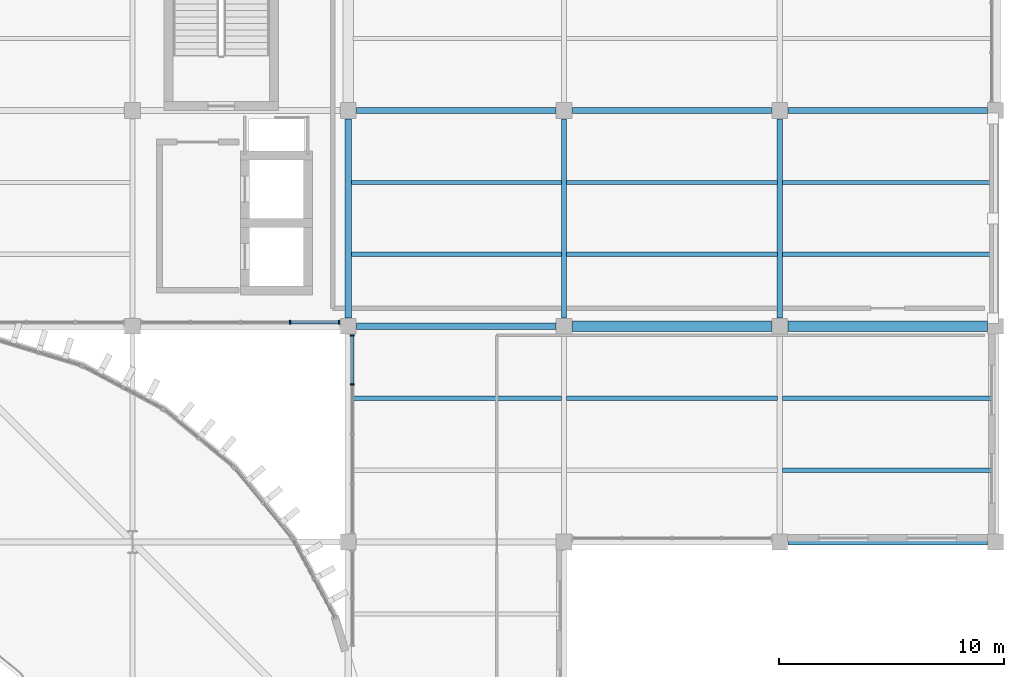
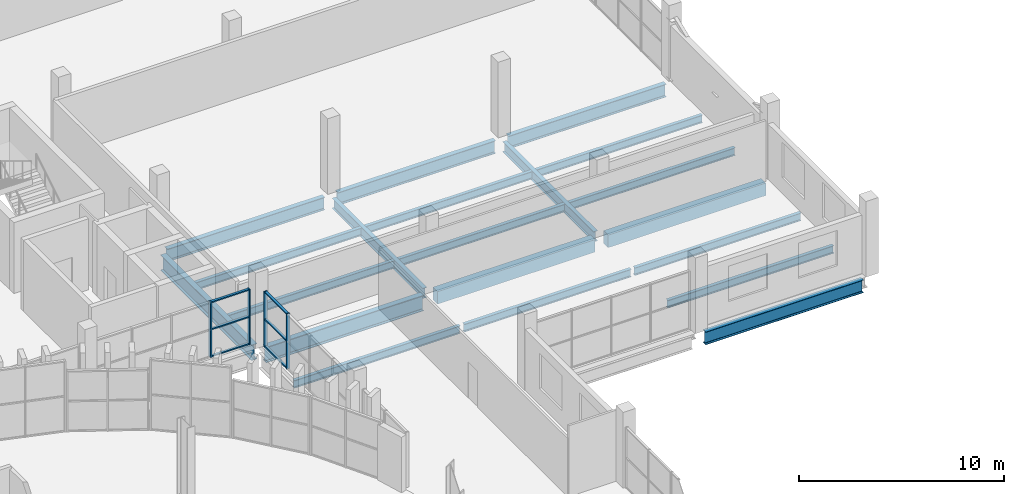
# One storey, part 37 of 92: 20 beams, 10 members, 2 elements without a shape of their own.
"""IFC4 building model written with IfcOpenShell, lengths in metres."""

from ifc_helpers import new_model, si_unit, direction, frame, origin, origin_2d, place, context, subcontext, project, spatial, rectangle, i_section, extrude, material, layer, layer_set, material_profile, profile_set, type_object, element, aggregate, save


model = new_model("IFC4")

# Units and contexts
model_context = context("Model", 3, precision=1e-05, world=origin(), true_north=direction((0.0, 1.0)))
body_context = subcontext(model_context, "Body", "Model", "MODEL_VIEW")
ifc_project = project(units=[si_unit("LENGTHUNIT", "METRE"), si_unit("AREAUNIT", "SQUARE_METRE"), si_unit("VOLUMEUNIT", "CUBIC_METRE"), si_unit("PLANEANGLEUNIT", "RADIAN"), si_unit("MASSUNIT", "GRAM", prefix="KILO")], contexts=[model_context])

# Site, building, storey
site_placement = place(None, origin())
site = spatial("IfcSite", under=ifc_project, at=site_placement, CompositionType="ELEMENT")
building_placement = place(site_placement, origin())
building = spatial("IfcBuilding", under=site, at=building_placement, Name="Caelomonte Colonnade Arena", CompositionType="ELEMENT")
storey_placement = place(building_placement, frame((0.0, 0.0, 9.60009765625)))
storey = spatial("IfcBuildingStorey", under=building, at=storey_placement, Name="L02", CompositionType="ELEMENT", Elevation=9.60009765625)

# Curtain wall, members
ifc_material_1 = material(Name="Bronze anodised aluminium and low-E glazing", Category="aluminium")
ifc_layer = layer(ifc_material_1, 0.179931640625)
ifc_layer_set = layer_set([ifc_layer], Name="Bronze anodised aluminium and low-E glazing")
curtain_wall_type = type_object("IfcCurtainWallType", Name="ENV-CW-CW-L02-96-33", PredefinedType="USERDEFINED", material=ifc_layer_set)
curtain_wall_1_placement = place(storey_placement, origin())
curtain_wall_1 = element("IfcCurtainWall", 1, at=curtain_wall_1_placement, inside=storey, type_object=curtain_wall_type, Name="L02 unitized curtain wall CW-L02-1584-1154", ObjectType="UNITIZED CURTAIN WALL", PredefinedType="USERDEFINED")
ifc_material_2 = material(Name="Bronze anodised aluminium AA6063-T6", Category="aluminium")
ifc_material_profile_1 = material_profile(ifc_material_2, rectangle(XDim=0.070068359375, YDim=0.179931640625, at=origin_2d()), Name="CWM-70X180")
ifc_profile_set_1 = profile_set([ifc_material_profile_1], Name="Bronze anodised aluminium AA6063-T6")
member_type_1 = type_object("IfcMemberType", Name="ENV-CW-MULL1", PredefinedType="MULLION", material=ifc_profile_set_1)
member_1_placement = place(storey_placement, frame((160.614990234375, 115.3798828125, 0.0), z_axis=(0.0, 0.0, 1.0), x_axis=(1.0, 0.0, 0.0)))
member_1 = element("IfcMember", 2, at=member_1_placement, type_object=member_type_1, Name="CW-L02-96-33 mullion 4", PredefinedType="MULLION", context=body_context, shape_type="SweptSolid", body=[
    extrude(rectangle(XDim=0.070068359375, YDim=0.179931640625, at=origin_2d()), origin(), (0.0, 0.0, 1.0), 3.29296875),
])
member_2_placement = place(storey_placement, frame((162.794921875, 115.3798828125, 0.0), z_axis=(0.0, 0.0, 1.0), x_axis=(1.0, 0.0, 0.0)))
member_2 = element("IfcMember", 3, at=member_2_placement, type_object=member_type_1, Name="CW-L02-96-33 mullion 5", PredefinedType="MULLION", context=body_context, shape_type="SweptSolid", body=[
    extrude(rectangle(XDim=0.070068359375, YDim=0.179931640625, at=origin_2d()), origin(), (0.0, 0.0, 1.0), 3.29296875),
])

curtain_wall_2_placement = place(storey_placement, origin())
curtain_wall_2 = element("IfcCurtainWall", 4, at=curtain_wall_2_placement, inside=storey, type_object=curtain_wall_type, Name="L02 unitized curtain wall CW-L02-1634-1104", ObjectType="UNITIZED CURTAIN WALL", PredefinedType="USERDEFINED")
member_3_placement = place(storey_placement, frame((163.3798828125, 114.794921875, 0.0), z_axis=(0.0, 0.0, 1.0), x_axis=(0.0, -1.0, 0.0)))
member_3 = element("IfcMember", 5, at=member_3_placement, type_object=member_type_1, Name="CW-L02-96-33 mullion 1", PredefinedType="MULLION", context=body_context, shape_type="SweptSolid", body=[
    extrude(rectangle(XDim=0.070068359375, YDim=0.179931640625, at=origin_2d()), origin(), (0.0, 0.0, 1.0), 3.29296875),
])
member_4_placement = place(storey_placement, frame((163.3798828125, 112.614990234375, 0.0), z_axis=(0.0, 0.0, 1.0), x_axis=(0.0, -1.0, 0.0)))
member_4 = element("IfcMember", 6, at=member_4_placement, type_object=member_type_1, Name="CW-L02-96-33 mullion 2", PredefinedType="MULLION", context=body_context, shape_type="SweptSolid", body=[
    extrude(rectangle(XDim=0.070068359375, YDim=0.179931640625, at=origin_2d()), origin(), (0.0, 0.0, 1.0), 3.29296875),
])

# Member
ifc_material_profile_2 = material_profile(ifc_material_2, rectangle(XDim=0.070068359375, YDim=0.139892578125, at=origin_2d()), Name="CWT-70X140")
ifc_profile_set_2 = profile_set([ifc_material_profile_2], Name="Bronze anodised aluminium AA6063-T6")
member_type_2 = type_object("IfcMemberType", Name="ENV-CW-TRAN1", PredefinedType="USERDEFINED", material=ifc_profile_set_2)
member_5_placement = place(storey_placement, frame((160.64990234375, 115.3798828125, 0.034912109375), z_axis=(1.0, 0.0, 0.0), x_axis=(0.0, 0.0, 1.0)))
member_5 = element("IfcMember", 7, at=member_5_placement, type_object=member_type_2, Name="CW-L02-96-33 transom 4.1", ObjectType="TRANSOM", PredefinedType="USERDEFINED", context=body_context, shape_type="SweptSolid", body=[
    extrude(rectangle(XDim=0.070068359375, YDim=0.139892578125, at=origin_2d()), origin(), (0.0, 0.0, 1.0), 2.110107421875),
])

member_6_placement = place(storey_placement, frame((160.64990234375, 115.3798828125, 1.646484375), z_axis=(1.0, 0.0, 0.0), x_axis=(0.0, 0.0, 1.0)))
member_6 = element("IfcMember", 8, at=member_6_placement, type_object=member_type_2, Name="CW-L02-96-33 transom 4.2", ObjectType="TRANSOM", PredefinedType="USERDEFINED", context=body_context, shape_type="SweptSolid", body=[
    extrude(rectangle(XDim=0.070068359375, YDim=0.139892578125, at=origin_2d()), origin(), (0.0, 0.0, 1.0), 2.110107421875),
])

member_7_placement = place(storey_placement, frame((160.64990234375, 115.3798828125, 3.2578125), z_axis=(1.0, 0.0, 0.0), x_axis=(0.0, 0.0, 1.0)))
member_7 = element("IfcMember", 9, at=member_7_placement, type_object=member_type_2, Name="CW-L02-96-33 transom 4.3", ObjectType="TRANSOM", PredefinedType="USERDEFINED", context=body_context, shape_type="SweptSolid", body=[
    extrude(rectangle(XDim=0.070068359375, YDim=0.139892578125, at=origin_2d()), origin(), (0.0, 0.0, 1.0), 2.110107421875),
])

aggregate(curtain_wall_1, [member_1, member_2, member_5, member_6, member_7])

member_8_placement = place(storey_placement, frame((163.3798828125, 114.760009765625, 0.034912109375), z_axis=(0.0, -1.0, 0.0), x_axis=(0.0, 0.0, 1.0)))
member_8 = element("IfcMember", 10, at=member_8_placement, type_object=member_type_2, Name="CW-L02-96-33 transom 1.1", ObjectType="TRANSOM", PredefinedType="USERDEFINED", context=body_context, shape_type="SweptSolid", body=[
    extrude(rectangle(XDim=0.070068359375, YDim=0.139892578125, at=origin_2d()), origin(), (0.0, 0.0, 1.0), 2.110107421875),
])

member_9_placement = place(storey_placement, frame((163.3798828125, 114.760009765625, 1.646484375), z_axis=(0.0, -1.0, 0.0), x_axis=(0.0, 0.0, 1.0)))
member_9 = element("IfcMember", 11, at=member_9_placement, type_object=member_type_2, Name="CW-L02-96-33 transom 1.2", ObjectType="TRANSOM", PredefinedType="USERDEFINED", context=body_context, shape_type="SweptSolid", body=[
    extrude(rectangle(XDim=0.070068359375, YDim=0.139892578125, at=origin_2d()), origin(), (0.0, 0.0, 1.0), 2.110107421875),
])

member_10_placement = place(storey_placement, frame((163.3798828125, 114.760009765625, 3.2578125), z_axis=(0.0, -1.0, 0.0), x_axis=(0.0, 0.0, 1.0)))
member_10 = element("IfcMember", 12, at=member_10_placement, type_object=member_type_2, Name="CW-L02-96-33 transom 1.3", ObjectType="TRANSOM", PredefinedType="USERDEFINED", context=body_context, shape_type="SweptSolid", body=[
    extrude(rectangle(XDim=0.070068359375, YDim=0.139892578125, at=origin_2d()), origin(), (0.0, 0.0, 1.0), 2.110107421875),
])

aggregate(curtain_wall_2, [member_3, member_4, member_8, member_9, member_10])

# Beams
ifc_material_3 = material(Name="Wide-flange steel ASTM A992 Grade 50", Category="steel")
ifc_material_profile_3 = material_profile(ifc_material_3, i_section(OverallWidth=0.307861328125, OverallDepth=0.927001953125, WebThickness=0.019287109375, FlangeThickness=0.031982421875, FilletRadius=0.020263671875, at=origin_2d()), Name="W36X194")
ifc_profile_set_3 = profile_set([ifc_material_profile_3], Name="Wide-flange steel ASTM A992 Grade 50")
beam_type_1 = type_object("IfcBeamType", Name="STR-BM-EAVES2", PredefinedType="SPANDREL", material=ifc_profile_set_3)
for number, where, z_axis, x_axis, name in (
    (13, (163.56689453125, 115.199951171875, -0.74365234375), (1.0, 0.0, 0.0), (0.0, 1.0, 0.0), "L02 girder BMX-L02-1632-1152"),
    (14, (163.199951171875, 115.56689453125, -0.74365234375), (0.0, 1.0, 0.0), (-1.0, 0.0, 0.0), "L02 girder BMY-L02-1632-1152"),
):
    element("IfcBeam", number, at=place(storey_placement, frame(where, z_axis=z_axis, x_axis=x_axis)), inside=storey, type_object=beam_type_1, Name=name, PredefinedType="SPANDREL", context=body_context, shape_type="SweptSolid", body=[
        extrude(i_section(OverallWidth=0.307861328125, OverallDepth=0.927001953125, WebThickness=0.019287109375, FlangeThickness=0.031982421875, FilletRadius=0.020263671875, at=origin_2d()), origin(), (0.0, 0.0, 1.0), 8.8662109375),
    ])
ifc_material_profile_4 = material_profile(ifc_material_3, i_section(OverallWidth=0.228271484375, OverallDepth=0.607177734375, WebThickness=0.01123046875, FlangeThickness=0.017333984375, FilletRadius=0.0126953125, at=origin_2d()), Name="W24X76")
ifc_profile_set_4 = profile_set([ifc_material_profile_4], Name="Wide-flange steel ASTM A992 Grade 50")
beam_type_2 = type_object("IfcBeamType", Name="STR-BM-GIRD24", PredefinedType="BEAM", material=ifc_profile_set_4)
for number, where, z_axis, x_axis, name in (
    (15, (172.800048828125, 115.56689453125, -0.58349609375), (0.0, 1.0, 0.0), (-1.0, 0.0, 0.0), "L02 girder BMY-L02-1728-1152"),
    (16, (182.39990234375, 115.56689453125, -0.58349609375), (0.0, 1.0, 0.0), (-1.0, 0.0, 0.0), "L02 girder BMY-L02-1824-1152"),
):
    element("IfcBeam", number, at=place(storey_placement, frame(where, z_axis=z_axis, x_axis=x_axis)), inside=storey, type_object=beam_type_2, Name=name, PredefinedType="BEAM", context=body_context, shape_type="SweptSolid", body=[
        extrude(i_section(OverallWidth=0.228271484375, OverallDepth=0.607177734375, WebThickness=0.01123046875, FlangeThickness=0.017333984375, FilletRadius=0.0126953125, at=origin_2d()), origin(), (0.0, 0.0, 1.0), 8.8662109375),
    ])
ifc_material_profile_5 = material_profile(ifc_material_3, i_section(OverallWidth=0.2666015625, OverallDepth=0.761962890625, WebThickness=0.014404296875, FlangeThickness=0.021484375, FilletRadius=0.0166015625, at=origin_2d()), Name="W30X116")
ifc_profile_set_5 = profile_set([ifc_material_profile_5], Name="Wide-flange steel ASTM A992 Grade 50")
beam_type_3 = type_object("IfcBeamType", Name="STR-BM-GIRD30", PredefinedType="BEAM", material=ifc_profile_set_5)
beam_1_placement = place(storey_placement, frame((182.76708984375, 105.60009765625, -0.6611328125), z_axis=(1.0, 0.0, 0.0), x_axis=(0.0, 1.0, 0.0)))
element("IfcBeam", 17, at=beam_1_placement, inside=storey, type_object=beam_type_3, Name="L02 girder BMX-L02-1824-1056", PredefinedType="BEAM", context=body_context, shape_type="SweptSolid", body=[
    extrude(i_section(OverallWidth=0.2666015625, OverallDepth=0.761962890625, WebThickness=0.014404296875, FlangeThickness=0.021484375, FilletRadius=0.0166015625, at=origin_2d()), origin(), (0.0, 0.0, 1.0), 8.865966796875),
])
beam_2_placement = place(storey_placement, frame((163.56689453125, 124.800048828125, -0.6611328125), z_axis=(1.0, 0.0, 0.0), x_axis=(0.0, 1.0, 0.0)))
element("IfcBeam", 18, at=beam_2_placement, inside=storey, type_object=beam_type_3, Name="L02 girder BMX-L02-1632-1248", PredefinedType="BEAM", context=body_context, shape_type="SweptSolid", body=[
    extrude(i_section(OverallWidth=0.2666015625, OverallDepth=0.761962890625, WebThickness=0.014404296875, FlangeThickness=0.021484375, FilletRadius=0.0166015625, at=origin_2d()), origin(), (0.0, 0.0, 1.0), 8.8662109375),
])
for number, where, z_axis, x_axis, name in (
    (19, (173.1669921875, 124.800048828125, -0.6611328125), (1.0, 0.0, 0.0), (0.0, 1.0, 0.0), "L02 girder BMX-L02-1728-1248"),
    (20, (182.76708984375, 124.800048828125, -0.6611328125), (1.0, 0.0, 0.0), (0.0, 1.0, 0.0), "L02 girder BMX-L02-1824-1248"),
):
    element("IfcBeam", number, at=place(storey_placement, frame(where, z_axis=z_axis, x_axis=x_axis)), inside=storey, type_object=beam_type_3, Name=name, PredefinedType="BEAM", context=body_context, shape_type="SweptSolid", body=[
        extrude(i_section(OverallWidth=0.2666015625, OverallDepth=0.761962890625, WebThickness=0.014404296875, FlangeThickness=0.021484375, FilletRadius=0.0166015625, at=origin_2d()), origin(), (0.0, 0.0, 1.0), 8.865966796875),
    ])
ifc_material_profile_6 = material_profile(ifc_material_3, i_section(OverallWidth=0.1904296875, OverallDepth=0.457275390625, WebThickness=0.009033203125, FlangeThickness=0.014404296875, FilletRadius=0.01025390625, at=origin_2d()), Name="W18X50")
ifc_profile_set_6 = profile_set([ifc_material_profile_6], Name="Wide-flange steel ASTM A992 Grade 50")
beam_type_4 = type_object("IfcBeamType", Name="STR-BM-JOIST18", PredefinedType="JOIST", material=ifc_profile_set_6)
for number, where, z_axis, x_axis, name in (
    (21, (163.348876953125, 112.0, -0.5087890625), (1.0, 0.0, 0.0), (0.0, 1.0, 0.0), "L02 secondary joist 2"),
    (22, (163.348876953125, 118.39990234375, -0.5087890625), (1.0, 0.0, 0.0), (0.0, 1.0, 0.0), "L02 secondary joist 1"),
    (23, (163.348876953125, 121.60009765625, -0.5087890625), (1.0, 0.0, 0.0), (0.0, 1.0, 0.0), "L02 secondary joist 2"),
):
    element("IfcBeam", number, at=place(storey_placement, frame(where, z_axis=z_axis, x_axis=x_axis)), inside=storey, type_object=beam_type_4, Name=name, PredefinedType="JOIST", context=body_context, shape_type="SweptSolid", body=[
        extrude(i_section(OverallWidth=0.1904296875, OverallDepth=0.457275390625, WebThickness=0.009033203125, FlangeThickness=0.014404296875, FilletRadius=0.01025390625, at=origin_2d()), origin(), (0.0, 0.0, 1.0), 9.342041015625),
    ])
for number, where, z_axis, x_axis, name in (
    (24, (172.9091796875, 112.0, -0.5087890625), (1.0, 0.0, 0.0), (0.0, 1.0, 0.0), "L02 secondary joist 2"),
    (25, (172.9091796875, 118.39990234375, -0.5087890625), (1.0, 0.0, 0.0), (0.0, 1.0, 0.0), "L02 secondary joist 1"),
    (26, (172.9091796875, 121.60009765625, -0.5087890625), (1.0, 0.0, 0.0), (0.0, 1.0, 0.0), "L02 secondary joist 2"),
):
    element("IfcBeam", number, at=place(storey_placement, frame(where, z_axis=z_axis, x_axis=x_axis)), inside=storey, type_object=beam_type_4, Name=name, PredefinedType="JOIST", context=body_context, shape_type="SweptSolid", body=[
        extrude(i_section(OverallWidth=0.1904296875, OverallDepth=0.457275390625, WebThickness=0.009033203125, FlangeThickness=0.014404296875, FilletRadius=0.01025390625, at=origin_2d()), origin(), (0.0, 0.0, 1.0), 9.3818359375),
    ])
for number, where, z_axis, x_axis, name in (
    (27, (182.50927734375, 108.800048828125, -0.5087890625), (1.0, 0.0, 0.0), (0.0, 1.0, 0.0), "L02 secondary joist 1"),
    (28, (182.50927734375, 112.0, -0.5087890625), (1.0, 0.0, 0.0), (0.0, 1.0, 0.0), "L02 secondary joist 2"),
    (29, (182.50927734375, 118.39990234375, -0.5087890625), (1.0, 0.0, 0.0), (0.0, 1.0, 0.0), "L02 secondary joist 1"),
    (30, (182.50927734375, 121.60009765625, -0.5087890625), (1.0, 0.0, 0.0), (0.0, 1.0, 0.0), "L02 secondary joist 2"),
):
    element("IfcBeam", number, at=place(storey_placement, frame(where, z_axis=z_axis, x_axis=x_axis)), inside=storey, type_object=beam_type_4, Name=name, PredefinedType="JOIST", context=body_context, shape_type="SweptSolid", body=[
        extrude(i_section(OverallWidth=0.1904296875, OverallDepth=0.457275390625, WebThickness=0.009033203125, FlangeThickness=0.014404296875, FilletRadius=0.01025390625, at=origin_2d()), origin(), (0.0, 0.0, 1.0), 9.341796875),
    ])
ifc_material_4 = material(Name="Concrete C40/50", Category="concrete")
ifc_material_profile_7 = material_profile(ifc_material_4, rectangle(XDim=0.449951171875, YDim=0.75, at=origin_2d()), Name="RC450X750")
ifc_profile_set_7 = profile_set([ifc_material_profile_7], Name="Concrete C40/50")
beam_type_5 = type_object("IfcBeamType", Name="STR-BM-SPAN24", PredefinedType="SPANDREL", material=ifc_profile_set_7)
for number, where, z_axis, x_axis, name in (
    (31, (173.1669921875, 115.199951171875, -0.655029296875), (1.0, 0.0, 0.0), (0.0, 1.0, 0.0), "L02 girder BMX-L02-1728-1152"),
    (32, (182.76708984375, 115.199951171875, -0.655029296875), (1.0, 0.0, 0.0), (0.0, 1.0, 0.0), "L02 girder BMX-L02-1824-1152"),
):
    element("IfcBeam", number, at=place(storey_placement, frame(where, z_axis=z_axis, x_axis=x_axis)), inside=storey, type_object=beam_type_5, Name=name, PredefinedType="SPANDREL", context=body_context, shape_type="SweptSolid", body=[
        extrude(rectangle(XDim=0.449951171875, YDim=0.75, at=origin_2d()), origin(), (0.0, 0.0, 1.0), 8.865966796875),
    ])

save(model, "model.ifc")
